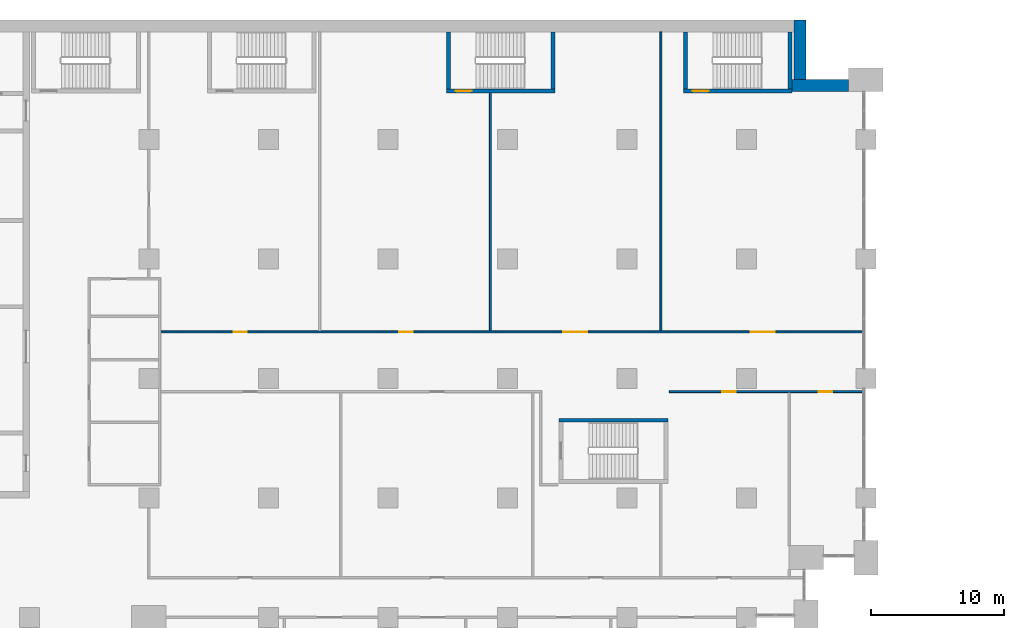
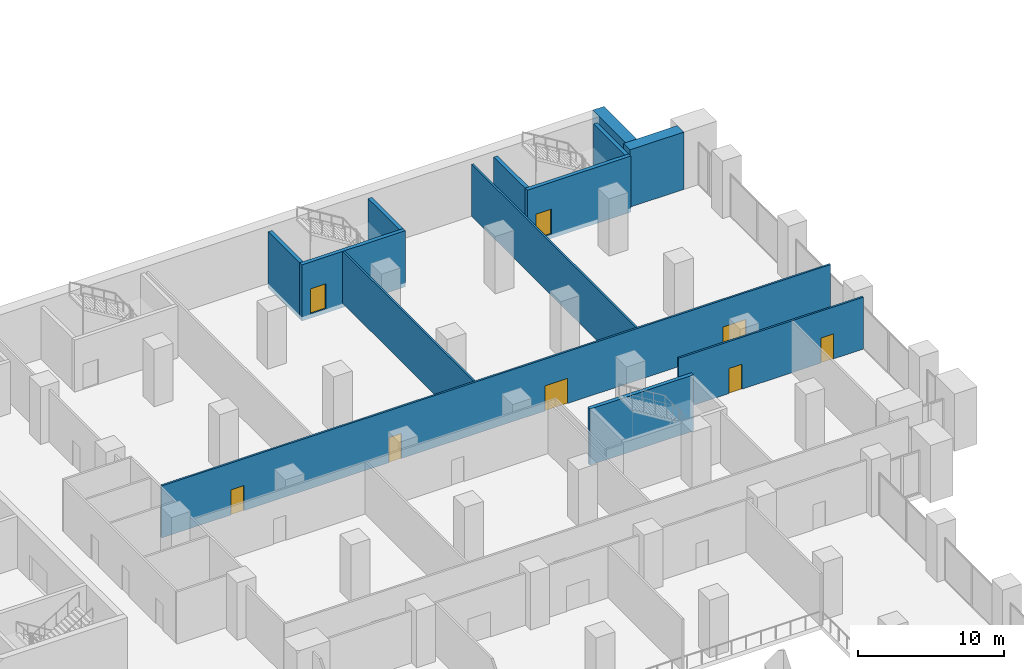
# One storey, part 19 of 32: 13 walls, 8 doors, 8 openings.
"""IFC4 building model written with IfcOpenShell, lengths in metres."""

from ifc_helpers import new_model, si_unit, direction, frame, frame_2d, origin, place, context, subcontext, project, spatial, rectangle, extrude, material, layer, layer_set, type_object, element, fill, save


model = new_model("IFC4")

# Units and contexts
model_context = context("Model", 3, precision=1e-05, world=origin(), true_north=direction((0.0, 1.0)))
body_context = subcontext(model_context, "Body", "Model", "MODEL_VIEW")
ifc_project = project(units=[si_unit("LENGTHUNIT", "METRE"), si_unit("AREAUNIT", "SQUARE_METRE"), si_unit("VOLUMEUNIT", "CUBIC_METRE"), si_unit("PLANEANGLEUNIT", "RADIAN"), si_unit("MASSUNIT", "GRAM", prefix="KILO")], contexts=[model_context])

# Site, building, storey
site_placement = place(None, origin())
site = spatial("IfcSite", under=ifc_project, at=site_placement, CompositionType="ELEMENT")
building_placement = place(site_placement, origin())
building = spatial("IfcBuilding", under=site, at=building_placement, Name="Hunhe Ridgeline Campus", CompositionType="ELEMENT")
storey_placement = place(building_placement, frame((0.0, 0.0, 26.39990234375)))
storey = spatial("IfcBuildingStorey", under=building, at=storey_placement, Name="L05", CompositionType="ELEMENT", Elevation=26.39990234375)

# Wall, openings, doors
ifc_material_1 = material(Name="Plastered blockwork", Category="masonry")
ifc_layer_1 = layer(ifc_material_1, 0.14990234375)
ifc_layer_set_1 = layer_set([ifc_layer_1], Name="Blockwork partition 150")
wall_type_1 = type_object("IfcWallType", Name="Blockwork partition 150", PredefinedType="PARTITIONING", material=ifc_layer_set_1)
wall_1_placement = place(storey_placement, frame((84.199951171875, 71.0, 0.0), z_axis=(0.0, 0.0, 1.0), x_axis=(1.0, 0.0, 0.0)))
wall_1 = element("IfcWall", 1, at=wall_1_placement, inside=storey, type_object=wall_type_1, Name="L05 partition", PredefinedType="PARTITIONING", context=body_context, shape_type="SweptSolid", body=[
    extrude(rectangle(XDim=14.6201171875, YDim=0.14990234375, at=frame_2d((7.31005859375, 0.0))), origin(), (0.0, 0.0, 1.0), 4.35009765625),
])
opening_1_placement = place(wall_1_placement, frame((4.0, 0.0, 0.0)))
opening_1 = element("IfcOpeningElement", 2, at=opening_1_placement, cuts=wall_1, Name="Opening PD628", PredefinedType="OPENING", context=body_context, shape_type="SweptSolid", body=[
    extrude(rectangle(XDim=1.0, YDim=2.10009765625, at=frame_2d((0.5, 1.050048828125))), frame((0.0, 0.074951171875, 0.0), z_axis=(0.0, -1.0, 0.0), x_axis=(1.0, 0.0, 0.0)), (0.0, 0.0, 1.0), 0.14990234375),
])
opening_2_placement = place(wall_1_placement, frame((11.263916015625, 0.0, 0.0)))
opening_2 = element("IfcOpeningElement", 3, at=opening_2_placement, cuts=wall_1, Name="Opening PD629", PredefinedType="OPENING", context=body_context, shape_type="SweptSolid", body=[
    extrude(rectangle(XDim=1.0, YDim=2.10009765625, at=frame_2d((0.5, 1.050048828125))), frame((0.0, 0.074951171875, 0.0), z_axis=(0.0, -1.0, 0.0), x_axis=(1.0, 0.0, 0.0)), (0.0, 0.0, 1.0), 0.14990234375),
])
ifc_material_2 = material(Name="Timber", Category="wood")
door_type_1 = type_object("IfcDoorType", Name="Podium timber door 1000x2100", OperationType="NOTDEFINED", PredefinedType="DOOR", material=ifc_material_2)
door_1_placement = place(opening_1_placement, origin())
door_1 = element("IfcDoor", 4, at=door_1_placement, inside=storey, type_object=door_type_1, Name="Conservation Laboratory door", OperationType="SINGLE_SWING_LEFT", OverallHeight=2.10009765625, OverallWidth=1.0, PredefinedType="DOOR", context=body_context, shape_type="SweptSolid", body=[
    extrude(rectangle(XDim=1.0, YDim=2.10009765625, at=frame_2d((0.5, 1.050048828125))), frame((0.0, 0.02490234375, 0.0), z_axis=(0.0, -1.0, 0.0), x_axis=(1.0, 0.0, 0.0)), (0.0, 0.0, 1.0), 0.050048828125),
])
fill(opening_1, door_1)
door_2_placement = place(opening_2_placement, origin())
door_2 = element("IfcDoor", 5, at=door_2_placement, inside=storey, type_object=door_type_1, Name="Photocopy Room door", OperationType="SINGLE_SWING_RIGHT", OverallHeight=2.10009765625, OverallWidth=1.0, PredefinedType="DOOR", context=body_context, shape_type="SweptSolid", body=[
    extrude(rectangle(XDim=1.0, YDim=2.10009765625, at=frame_2d((0.5, 1.050048828125))), frame((0.0, 0.02490234375, 0.0), z_axis=(0.0, -1.0, 0.0), x_axis=(1.0, 0.0, 0.0)), (0.0, 0.0, 1.0), 0.050048828125),
])
fill(opening_2, door_2)

# Wall
wall_2_placement = place(storey_placement, frame((83.571044921875, 75.574951171875, 0.0), z_axis=(0.0, 0.0, 1.0), x_axis=(0.0, 1.0, 0.0)))
element("IfcWall", 6, at=wall_2_placement, inside=storey, type_object=wall_type_1, Name="L05 partition", PredefinedType="PARTITIONING", context=body_context, shape_type="SweptSolid", body=[
    extrude(rectangle(XDim=22.525146484375, YDim=0.14990234375, at=frame_2d((11.2626953125, 0.0))), origin(), (0.0, 0.0, 1.0), 4.35009765625),
])

# Wall, openings, doors
wall_3_placement = place(storey_placement, frame((98.820068359375, 75.5, 0.0), z_axis=(0.0, 0.0, 1.0), x_axis=(-1.0, 0.0, 0.0)))
wall_3 = element("IfcWall", 7, at=wall_3_placement, inside=storey, type_object=wall_type_1, Name="L05 partition", PredefinedType="PARTITIONING", context=body_context, shape_type="SweptSolid", body=[
    extrude(rectangle(XDim=52.945068359375, YDim=0.14990234375, at=frame_2d((26.47265625, 0.0))), origin(), (0.0, 0.0, 1.0), 4.35009765625),
])
opening_3_placement = place(wall_3_placement, frame((46.445068359375, 0.0, 0.0)))
opening_3 = element("IfcOpeningElement", 8, at=opening_3_placement, cuts=wall_3, Name="Opening PD634", PredefinedType="OPENING", context=body_context, shape_type="SweptSolid", body=[
    extrude(rectangle(XDim=1.0, YDim=2.10009765625, at=frame_2d((0.5, 1.050048828125))), frame((0.0, 0.074951171875, 0.0), z_axis=(0.0, -1.0, 0.0), x_axis=(1.0, 0.0, 0.0)), (0.0, 0.0, 1.0), 0.14990234375),
])
opening_4_placement = place(wall_3_placement, frame((33.962890625, 0.0, 0.0)))
opening_4 = element("IfcOpeningElement", 9, at=opening_4_placement, cuts=wall_3, Name="Opening PD636", PredefinedType="OPENING", context=body_context, shape_type="SweptSolid", body=[
    extrude(rectangle(XDim=1.0, YDim=2.10009765625, at=frame_2d((0.5, 1.050048828125))), frame((0.0, 0.074951171875, 0.0), z_axis=(0.0, -1.0, 0.0), x_axis=(1.0, 0.0, 0.0)), (0.0, 0.0, 1.0), 0.14990234375),
])
opening_5_placement = place(wall_3_placement, frame((20.805908203125, 0.0, 0.0)))
opening_5 = element("IfcOpeningElement", 10, at=opening_5_placement, cuts=wall_3, Name="Opening PD637", PredefinedType="OPENING", context=body_context, shape_type="SweptSolid", body=[
    extrude(rectangle(XDim=1.800048828125, YDim=2.10009765625, at=frame_2d((0.89990234375, 1.050048828125))), frame((0.0, 0.074951171875, 0.0), z_axis=(0.0, -1.0, 0.0), x_axis=(1.0, 0.0, 0.0)), (0.0, 0.0, 1.0), 0.14990234375),
])
opening_6_placement = place(wall_3_placement, frame((6.698974609375, 0.0, 0.0)))
opening_6 = element("IfcOpeningElement", 11, at=opening_6_placement, cuts=wall_3, Name="Opening PD638", PredefinedType="OPENING", context=body_context, shape_type="SweptSolid", body=[
    extrude(rectangle(XDim=1.800048828125, YDim=2.10009765625, at=frame_2d((0.89990234375, 1.050048828125))), frame((0.0, 0.074951171875, 0.0), z_axis=(0.0, -1.0, 0.0), x_axis=(1.0, 0.0, 0.0)), (0.0, 0.0, 1.0), 0.14990234375),
])
door_3_placement = place(opening_3_placement, origin())
door_3 = element("IfcDoor", 12, at=door_3_placement, inside=storey, type_object=door_type_1, Name="Archive Store door", OperationType="SINGLE_SWING_RIGHT", OverallHeight=2.10009765625, OverallWidth=1.0, PredefinedType="DOOR", context=body_context, shape_type="SweptSolid", body=[
    extrude(rectangle(XDim=1.0, YDim=2.10009765625, at=frame_2d((0.5, 1.050048828125))), frame((0.0, 0.02490234375, 0.0), z_axis=(0.0, -1.0, 0.0), x_axis=(1.0, 0.0, 0.0)), (0.0, 0.0, 1.0), 0.050048828125),
])
fill(opening_3, door_3)
door_4_placement = place(opening_4_placement, origin())
door_4 = element("IfcDoor", 13, at=door_4_placement, inside=storey, type_object=door_type_1, Name="Archive Store door", OperationType="SINGLE_SWING_RIGHT", OverallHeight=2.10009765625, OverallWidth=1.0, PredefinedType="DOOR", context=body_context, shape_type="SweptSolid", body=[
    extrude(rectangle(XDim=1.0, YDim=2.10009765625, at=frame_2d((0.5, 1.050048828125))), frame((0.0, 0.02490234375, 0.0), z_axis=(0.0, -1.0, 0.0), x_axis=(1.0, 0.0, 0.0)), (0.0, 0.0, 1.0), 0.050048828125),
])
fill(opening_4, door_4)
door_type_2 = type_object("IfcDoorType", Name="Podium timber double door 1800x2100", OperationType="NOTDEFINED", PredefinedType="DOOR", material=ifc_material_2)
door_5_placement = place(opening_5_placement, origin())
door_5 = element("IfcDoor", 14, at=door_5_placement, inside=storey, type_object=door_type_2, Name="Study Lounge door", OperationType="DOUBLE_DOOR_SINGLE_SWING", OverallHeight=2.10009765625, OverallWidth=1.800048828125, PredefinedType="DOOR", context=body_context, shape_type="SweptSolid", body=[
    extrude(rectangle(XDim=1.800048828125, YDim=2.10009765625, at=frame_2d((0.89990234375, 1.050048828125))), frame((0.0, 0.02490234375, 0.0), z_axis=(0.0, -1.0, 0.0), x_axis=(1.0, 0.0, 0.0)), (0.0, 0.0, 1.0), 0.050048828125),
])
fill(opening_5, door_5)
door_6_placement = place(opening_6_placement, origin())
door_6 = element("IfcDoor", 15, at=door_6_placement, inside=storey, type_object=door_type_2, Name="Terrace Lounge door", OperationType="DOUBLE_DOOR_SINGLE_SWING", OverallHeight=2.10009765625, OverallWidth=1.800048828125, PredefinedType="DOOR", context=body_context, shape_type="SweptSolid", body=[
    extrude(rectangle(XDim=1.800048828125, YDim=2.10009765625, at=frame_2d((0.89990234375, 1.050048828125))), frame((0.0, 0.02490234375, 0.0), z_axis=(0.0, -1.0, 0.0), x_axis=(1.0, 0.0, 0.0)), (0.0, 0.0, 1.0), 0.050048828125),
])
fill(opening_6, door_6)

# Walls
wall_4_placement = place(storey_placement, frame((70.714111328125, 75.574951171875, 0.0), z_axis=(0.0, 0.0, 1.0), x_axis=(0.0, 1.0, 0.0)))
element("IfcWall", 16, at=wall_4_placement, inside=storey, type_object=wall_type_1, Name="L05 partition", PredefinedType="PARTITIONING", context=body_context, shape_type="SweptSolid", body=[
    extrude(rectangle(XDim=17.925048828125, YDim=0.14990234375, at=frame_2d((8.96240234375, 0.0))), origin(), (0.0, 0.0, 1.0), 4.35009765625),
])
ifc_material_3 = material(Name="Concrete C80", Category="concrete")
ifc_layer_2 = layer(ifc_material_3, 0.89990234375)
ifc_layer_set_2 = layer_set([ifc_layer_2], Name="Spine wall 900 Concrete C80")
wall_type_2 = type_object("IfcWallType", Name="Spine wall 900 Concrete C80", PredefinedType="SHEAR", material=ifc_layer_set_2)
wall_5_placement = place(storey_placement, frame((97.699951171875, 94.050048828125, 0.0), z_axis=(0.0, 0.0, 1.0), x_axis=(-1.0, 0.0, 0.0)))
element("IfcWall", 17, at=wall_5_placement, inside=storey, type_object=wall_type_2, Name="Spine wall SW1-2 L05", PredefinedType="SHEAR", context=body_context, shape_type="SweptSolid", body=[
    extrude(rectangle(XDim=4.25048828125, YDim=0.89990234375, at=frame_2d((2.125244140625, 0.0))), origin(), (0.0, 0.0, 1.0), 4.800048828125),
])
wall_6_placement = place(storey_placement, frame((94.050048828125, 93.60009765625, 0.0), z_axis=(0.0, 0.0, 1.0), x_axis=(0.0, 1.0, 0.0)))
element("IfcWall", 18, at=wall_6_placement, inside=storey, type_object=wall_type_2, Name="Spine wall SW1-3 L05", PredefinedType="SHEAR", context=body_context, shape_type="SweptSolid", body=[
    extrude(rectangle(XDim=5.39990234375, YDim=0.89990234375, at=frame_2d((2.699951171875, 0.0))), origin(), (0.0, 0.0, 1.0), 4.800048828125),
])
ifc_layer_3 = layer(ifc_material_3, 0.300048828125)
ifc_layer_set_3 = layer_set([ifc_layer_3], Name="Stair wall 300 reinforced concrete C80")
wall_type_3 = type_object("IfcWallType", Name="Stair wall 300 reinforced concrete C80", PredefinedType="SOLIDWALL", material=ifc_layer_set_3)
wall_7_placement = place(storey_placement, frame((75.89990234375, 68.85009765625, -0.349853515625), z_axis=(0.0, 0.0, 1.0), x_axis=(1.0, 0.0, 0.0)))
element("IfcWall", 19, at=wall_7_placement, inside=storey, type_object=wall_type_3, Name="L05 core wall 11", PredefinedType="SOLIDWALL", context=body_context, shape_type="SweptSolid", body=[
    extrude(rectangle(XDim=8.2001953125, YDim=0.300048828125, at=frame_2d((4.10009765625, 0.0))), origin(), (0.0, 0.0, 1.0), 4.699951171875),
])

# Wall, opening, door
wall_8_placement = place(storey_placement, frame((67.39990234375, 93.64990234375, -0.349853515625), z_axis=(0.0, 0.0, 1.0), x_axis=(1.0, 0.0, 0.0)))
wall_8 = element("IfcWall", 20, at=wall_8_placement, inside=storey, type_object=wall_type_3, Name="L05 core wall 33", PredefinedType="SOLIDWALL", context=body_context, shape_type="SweptSolid", body=[
    extrude(rectangle(XDim=8.2001953125, YDim=0.300048828125, at=frame_2d((4.10009765625, 0.0))), origin(), (0.0, 0.0, 1.0), 4.699951171875),
])
opening_7_placement = place(wall_8_placement, frame((0.699951171875, 0.0, 0.35009765625)))
opening_7 = element("IfcOpeningElement", 21, at=opening_7_placement, cuts=wall_8, Name="Opening CD19", PredefinedType="OPENING", context=body_context, shape_type="SweptSolid", body=[
    extrude(rectangle(XDim=1.199951171875, YDim=2.10009765625, at=frame_2d((0.60009765625, 1.050048828125))), frame((0.0, 0.14990234375, 0.0), z_axis=(0.0, -1.0, 0.0), x_axis=(1.0, 0.0, 0.0)), (0.0, 0.0, 1.0), 0.300048828125),
])
ifc_material_4 = material(Name="Hollow metal fire door leaf")
door_type_3 = type_object("IfcDoorType", Name="Stair door 1200x2100 FD60", OperationType="SINGLE_SWING_LEFT", PredefinedType="DOOR", material=ifc_material_4)
door_7_placement = place(opening_7_placement, frame((1.199951171875, 0.0, 0.0), z_axis=(0.0, 0.0, 1.0), x_axis=(-1.0, 0.0, 0.0)))
door_7 = element("IfcDoor", 22, at=door_7_placement, inside=storey, type_object=door_type_3, Name="L05 door E3", OperationType="SINGLE_SWING_RIGHT", OverallHeight=2.10009765625, OverallWidth=1.199951171875, PredefinedType="DOOR", context=body_context, shape_type="SweptSolid", body=[
    extrude(rectangle(XDim=1.199951171875, YDim=2.10009765625, at=frame_2d((0.60009765625, 1.050048828125))), frame((0.0, 0.02490234375, 0.0), z_axis=(0.0, -1.0, 0.0), x_axis=(1.0, 0.0, 0.0)), (0.0, 0.0, 1.0), 0.050048828125),
])
fill(opening_7, door_7)

wall_9_placement = place(storey_placement, frame((85.25, 93.64990234375, -0.349853515625), z_axis=(0.0, 0.0, 1.0), x_axis=(1.0, 0.0, 0.0)))
wall_9 = element("IfcWall", 23, at=wall_9_placement, inside=storey, type_object=wall_type_3, Name="L05 core wall 34", PredefinedType="SOLIDWALL", context=body_context, shape_type="SweptSolid", body=[
    extrude(rectangle(XDim=8.199951171875, YDim=0.300048828125, at=frame_2d((4.10009765625, 0.0))), origin(), (0.0, 0.0, 1.0), 4.699951171875),
])
opening_8_placement = place(wall_9_placement, frame((0.699951171875, 0.0, 0.35009765625)))
opening_8 = element("IfcOpeningElement", 24, at=opening_8_placement, cuts=wall_9, Name="Opening CD20", PredefinedType="OPENING", context=body_context, shape_type="SweptSolid", body=[
    extrude(rectangle(XDim=1.199951171875, YDim=2.10009765625, at=frame_2d((0.60009765625, 1.050048828125))), frame((0.0, 0.14990234375, 0.0), z_axis=(0.0, -1.0, 0.0), x_axis=(1.0, 0.0, 0.0)), (0.0, 0.0, 1.0), 0.300048828125),
])
door_8_placement = place(opening_8_placement, frame((1.199951171875, 0.0, 0.0), z_axis=(0.0, 0.0, 1.0), x_axis=(-1.0, 0.0, 0.0)))
door_8 = element("IfcDoor", 25, at=door_8_placement, inside=storey, type_object=door_type_3, Name="L05 door E4", OperationType="SINGLE_SWING_LEFT", OverallHeight=2.10009765625, OverallWidth=1.199951171875, PredefinedType="DOOR", context=body_context, shape_type="SweptSolid", body=[
    extrude(rectangle(XDim=1.199951171875, YDim=2.10009765625, at=frame_2d((0.60009765625, 1.050048828125))), frame((0.0, 0.02490234375, 0.0), z_axis=(0.0, -1.0, 0.0), x_axis=(1.0, 0.0, 0.0)), (0.0, 0.0, 1.0), 0.050048828125),
])
fill(opening_8, door_8)

# Walls
for number, where, z_axis, x_axis, name in (
    (26, (67.550048828125, 93.800048828125, -0.349853515625), (0.0, 0.0, 1.0), (0.0, 1.0, 0.0), "L05 core wall 68"),
    (27, (75.449951171875, 93.800048828125, -0.349853515625), (0.0, 0.0, 1.0), (0.0, 1.0, 0.0), "L05 core wall 69"),
    (28, (85.39990234375, 93.800048828125, -0.349853515625), (0.0, 0.0, 1.0), (0.0, 1.0, 0.0), "L05 core wall 72"),
    (29, (93.300048828125, 93.800048828125, -0.349853515625), (0.0, 0.0, 1.0), (0.0, 1.0, 0.0), "L05 core wall 73"),
):
    element("IfcWall", number, at=place(storey_placement, frame(where, z_axis=z_axis, x_axis=x_axis)), inside=storey, type_object=wall_type_3, Name=name, PredefinedType="SOLIDWALL", context=body_context, shape_type="SweptSolid", body=[
        extrude(rectangle(XDim=4.300048828125, YDim=0.300048828125, at=frame_2d((2.14990234375, 0.0))), origin(), (0.0, 0.0, 1.0), 4.699951171875),
    ])

save(model, "model.ifc")
